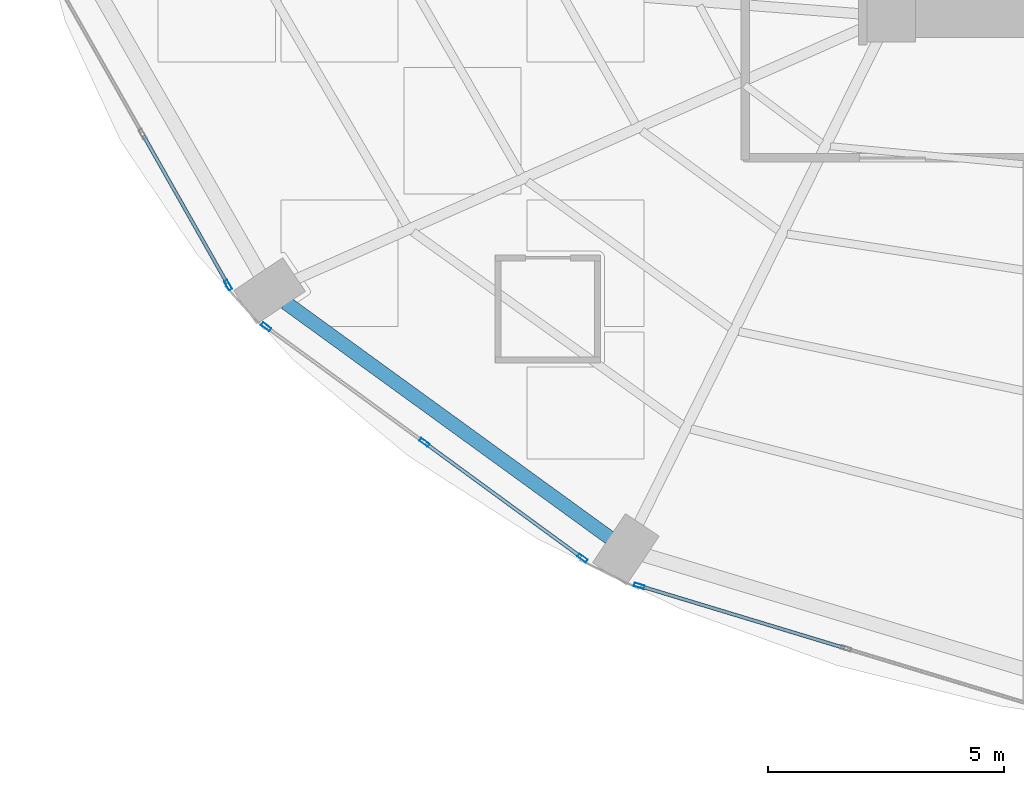
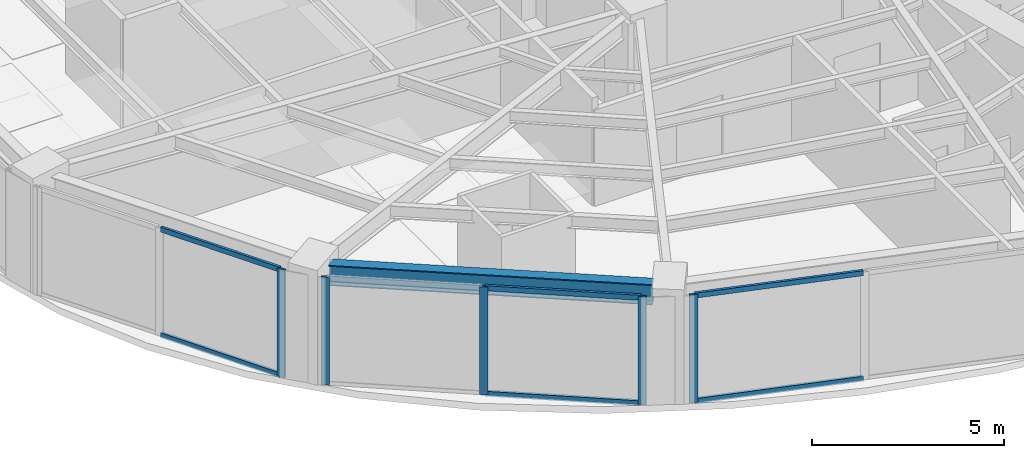
# One storey, part 2 of 25: 11 members, 1 beam, 3 elements without a shape of their own.
"""IFC4 building model written with IfcOpenShell, lengths in metres."""

from ifc_helpers import new_model, si_unit, direction, frame, origin, origin_2d, place, context, subcontext, project, spatial, hollow_rectangle, i_section, extrude, material, layer, layer_set, material_profile, profile_set, type_object, element, aggregate, save


model = new_model("IFC4")

# Units and contexts
model_context = context("Model", 3, precision=1e-05, world=origin(), true_north=direction((0.0, 1.0)))
body_context = subcontext(model_context, "Body", "Model", "MODEL_VIEW")
ifc_project = project(units=[si_unit("LENGTHUNIT", "METRE"), si_unit("AREAUNIT", "SQUARE_METRE"), si_unit("VOLUMEUNIT", "CUBIC_METRE"), si_unit("PLANEANGLEUNIT", "RADIAN"), si_unit("MASSUNIT", "GRAM", prefix="KILO")], contexts=[model_context])

# Site, building, storey
site_placement = place(None, origin())
site = spatial("IfcSite", under=ifc_project, at=site_placement, CompositionType="ELEMENT")
building_placement = place(site_placement, origin())
building = spatial("IfcBuilding", under=site, at=building_placement, Name="Lazwardi Medical Tower", CompositionType="ELEMENT")
storey_placement = place(building_placement, frame((0.0, 0.0, 28.847900390625)))
storey = spatial("IfcBuildingStorey", under=building, at=storey_placement, Name="L06", CompositionType="ELEMENT", Elevation=28.847900390625)

# Beam
ifc_material_1 = material(Name="Steel S355", Category="steel")
ifc_material_profile_1 = material_profile(ifc_material_1, i_section(OverallWidth=0.300048828125, OverallDepth=0.64990234375, WebThickness=0.01611328125, FlangeThickness=0.031005859375, at=origin_2d()), Name="HEB 650")
ifc_profile_set_1 = profile_set([ifc_material_profile_1], Name="Steel S355")
beam_type = type_object("IfcBeamType", Name="BM-RB-Z1", PredefinedType="BEAM", material=ifc_profile_set_1)
beam_placement = place(storey_placement, frame((13.6201171875, 14.339111328125, 3.10302734375), z_axis=(0.809407079515, -0.587247971159, 0.0), x_axis=(0.587247971159, 0.809407079515, 0.0)))
element("IfcBeam", 1, at=beam_placement, inside=storey, type_object=beam_type, Name="Ring beam RB-02 B14 L06", PredefinedType="BEAM", context=body_context, shape_type="SweptSolid", body=[
    extrude(i_section(OverallWidth=0.300048828125, OverallDepth=0.64990234375, WebThickness=0.01611328125, FlangeThickness=0.031005859375, at=origin_2d()), origin(), (0.0, 0.0, 1.0), 8.473876953125),
])

# Curtain wall, member
ifc_material_2 = material(Name="Anodised bronze aluminium and solar control glazing", Category="aluminium")
ifc_layer = layer(ifc_material_2, 0.199951171875)
ifc_layer_set = layer_set([ifc_layer], Name="Anodised bronze aluminium and solar control glazing")
curtain_wall_type = type_object("IfcCurtainWallType", Name="CW-SYS-02", PredefinedType="NOTDEFINED", material=ifc_layer_set)
curtain_wall_1_placement = place(storey_placement, origin())
curtain_wall_1 = element("IfcCurtainWall", 2, at=curtain_wall_1_placement, inside=storey, type_object=curtain_wall_type, Name="L06 Unitised bronze curtain wall CW-02", PredefinedType="NOTDEFINED")
ifc_material_3 = material(Name="Anodised bronze aluminium", Category="aluminium")
ifc_material_profile_2 = material_profile(ifc_material_3, hollow_rectangle(XDim=0.074951171875, YDim=0.219970703125, WallThickness=0.00390625, at=origin_2d()), Name="ALU-MULLION 220x75x4")
ifc_profile_set_2 = profile_set([ifc_material_profile_2], Name="Anodised bronze aluminium")
member_type_1 = type_object("IfcMemberType", Name="CW-MUL-01", PredefinedType="MULLION", material=ifc_profile_set_2)
member_1_placement = place(storey_placement, frame((12.4033203125, 14.71142578125, 0.0), z_axis=(0.0, 0.0, 1.0), x_axis=(0.870111838823, 0.492854327303, 0.0)))
member_1 = element("IfcMember", 3, at=member_1_placement, type_object=member_type_1, Name="CW-02 mullion 3", PredefinedType="MULLION", context=body_context, shape_type="SweptSolid", body=[
    extrude(hollow_rectangle(XDim=0.074951171875, YDim=0.219970703125, WallThickness=0.00390625, at=origin_2d()), origin(), (0.0, 0.0, 1.0), 3.427978515625),
])

# Curtain wall, members
curtain_wall_2_placement = place(storey_placement, origin())
curtain_wall_2 = element("IfcCurtainWall", 4, at=curtain_wall_2_placement, inside=storey, type_object=curtain_wall_type, Name="L06 Unitised bronze curtain wall CW-02", PredefinedType="NOTDEFINED")
member_2_placement = place(storey_placement, frame((13.209716796875, 13.827392578125, 0.0), z_axis=(0.0, 0.0, 1.0), x_axis=(0.590289307341, 0.807191757663, 0.0)))
member_2 = element("IfcMember", 5, at=member_2_placement, type_object=member_type_1, Name="CW-02 mullion 1", PredefinedType="MULLION", context=body_context, shape_type="SweptSolid", body=[
    extrude(hollow_rectangle(XDim=0.074951171875, YDim=0.219970703125, WallThickness=0.00390625, at=origin_2d()), origin(), (0.0, 0.0, 1.0), 3.427978515625),
])
member_3_placement = place(storey_placement, frame((16.5556640625, 11.380615234375, 0.0), z_axis=(0.0, 0.0, 1.0), x_axis=(0.590289307341, 0.807191757663, 0.0)))
member_3 = element("IfcMember", 6, at=member_3_placement, type_object=member_type_1, Name="CW-02 mullion 2", PredefinedType="MULLION", context=body_context, shape_type="SweptSolid", body=[
    extrude(hollow_rectangle(XDim=0.074951171875, YDim=0.219970703125, WallThickness=0.00390625, at=origin_2d()), origin(), (0.0, 0.0, 1.0), 3.427978515625),
])
member_4_placement = place(storey_placement, frame((19.9013671875, 8.933837890625, 0.0), z_axis=(0.0, 0.0, 1.0), x_axis=(0.590289307341, 0.807191757663, 0.0)))
member_4 = element("IfcMember", 7, at=member_4_placement, type_object=member_type_1, Name="CW-02 mullion 3", PredefinedType="MULLION", context=body_context, shape_type="SweptSolid", body=[
    extrude(hollow_rectangle(XDim=0.074951171875, YDim=0.219970703125, WallThickness=0.00390625, at=origin_2d()), origin(), (0.0, 0.0, 1.0), 3.427978515625),
])

# Curtain wall, member
curtain_wall_3_placement = place(storey_placement, origin())
curtain_wall_3 = element("IfcCurtainWall", 8, at=curtain_wall_3_placement, inside=storey, type_object=curtain_wall_type, Name="L06 Unitised bronze curtain wall CW-02", PredefinedType="NOTDEFINED")
member_5_placement = place(storey_placement, frame((21.1015625, 8.346923828125, 0.0), z_axis=(0.0, 0.0, 1.0), x_axis=(0.2898956909, 0.957058247129, 0.0)))
member_5 = element("IfcMember", 9, at=member_5_placement, type_object=member_type_1, Name="CW-02 mullion 1", PredefinedType="MULLION", context=body_context, shape_type="SweptSolid", body=[
    extrude(hollow_rectangle(XDim=0.074951171875, YDim=0.219970703125, WallThickness=0.00390625, at=origin_2d()), origin(), (0.0, 0.0, 1.0), 3.427978515625),
])

# Member
ifc_material_profile_3 = material_profile(ifc_material_3, hollow_rectangle(XDim=0.074951171875, YDim=0.159912109375, WallThickness=0.00390625, at=origin_2d()), Name="ALU-TRANSOM 160x75x4")
ifc_profile_set_3 = profile_set([ifc_material_profile_3], Name="Anodised bronze aluminium")
member_type_2 = type_object("IfcMemberType", Name="CW-TRN-01", PredefinedType="USERDEFINED", material=ifc_profile_set_3)
member_6_placement = place(storey_placement, frame((10.613037109375, 17.871826171875, 0.03759765625), z_axis=(0.492880614687, -0.870096948429, 0.0), x_axis=(0.870096948429, 0.492880614687, 0.0)))
member_6 = element("IfcMember", 10, at=member_6_placement, type_object=member_type_2, Name="CW-02 transom 2.1", ObjectType="TRANSOM", PredefinedType="USERDEFINED", context=body_context, shape_type="SweptSolid", body=[
    extrude(hollow_rectangle(XDim=0.074951171875, YDim=0.159912109375, WallThickness=0.00390625, at=origin_2d()), origin(), (0.0, 0.0, 1.0), 3.5947265625),
])

member_7_placement = place(storey_placement, frame((10.613037109375, 17.871826171875, 3.390625), z_axis=(0.492880614687, -0.870096948429, 0.0), x_axis=(0.870096948429, 0.492880614687, 0.0)))
member_7 = element("IfcMember", 11, at=member_7_placement, type_object=member_type_2, Name="CW-02 transom 2.2", ObjectType="TRANSOM", PredefinedType="USERDEFINED", context=body_context, shape_type="SweptSolid", body=[
    extrude(hollow_rectangle(XDim=0.074951171875, YDim=0.159912109375, WallThickness=0.00390625, at=origin_2d()), origin(), (0.0, 0.0, 1.0), 3.5947265625),
])

aggregate(curtain_wall_1, [member_1, member_6, member_7])

member_8_placement = place(storey_placement, frame((16.5859375, 11.358642578125, 0.03759765625), z_axis=(0.807169053975, -0.590320352271, 0.0), x_axis=(0.590320352271, 0.807169053975, 0.0)))
member_8 = element("IfcMember", 12, at=member_8_placement, type_object=member_type_2, Name="CW-02 transom 2.1", ObjectType="TRANSOM", PredefinedType="USERDEFINED", context=body_context, shape_type="SweptSolid", body=[
    extrude(hollow_rectangle(XDim=0.074951171875, YDim=0.159912109375, WallThickness=0.00390625, at=origin_2d()), origin(), (0.0, 0.0, 1.0), 4.070068359375),
])

member_9_placement = place(storey_placement, frame((16.5859375, 11.358642578125, 3.390625), z_axis=(0.807169053975, -0.590320352271, 0.0), x_axis=(0.590320352271, 0.807169053975, 0.0)))
member_9 = element("IfcMember", 13, at=member_9_placement, type_object=member_type_2, Name="CW-02 transom 2.2", ObjectType="TRANSOM", PredefinedType="USERDEFINED", context=body_context, shape_type="SweptSolid", body=[
    extrude(hollow_rectangle(XDim=0.074951171875, YDim=0.159912109375, WallThickness=0.00390625, at=origin_2d()), origin(), (0.0, 0.0, 1.0), 4.070068359375),
])

aggregate(curtain_wall_2, [member_2, member_3, member_4, member_8, member_9])

member_10_placement = place(storey_placement, frame((21.137451171875, 8.3359375, 0.03759765625), z_axis=(0.957062297904, -0.289882317383, 0.0), x_axis=(0.289882317383, 0.957062297904, 0.0)))
member_10 = element("IfcMember", 14, at=member_10_placement, type_object=member_type_2, Name="CW-02 transom 1.1", ObjectType="TRANSOM", PredefinedType="USERDEFINED", context=body_context, shape_type="SweptSolid", body=[
    extrude(hollow_rectangle(XDim=0.074951171875, YDim=0.159912109375, WallThickness=0.00390625, at=origin_2d()), origin(), (0.0, 0.0, 1.0), 4.49658203125),
])

member_11_placement = place(storey_placement, frame((21.137451171875, 8.3359375, 3.390625), z_axis=(0.957062297904, -0.289882317383, 0.0), x_axis=(0.289882317383, 0.957062297904, 0.0)))
member_11 = element("IfcMember", 15, at=member_11_placement, type_object=member_type_2, Name="CW-02 transom 1.2", ObjectType="TRANSOM", PredefinedType="USERDEFINED", context=body_context, shape_type="SweptSolid", body=[
    extrude(hollow_rectangle(XDim=0.074951171875, YDim=0.159912109375, WallThickness=0.00390625, at=origin_2d()), origin(), (0.0, 0.0, 1.0), 4.49658203125),
])

aggregate(curtain_wall_3, [member_5, member_10, member_11])

save(model, "model.ifc")
